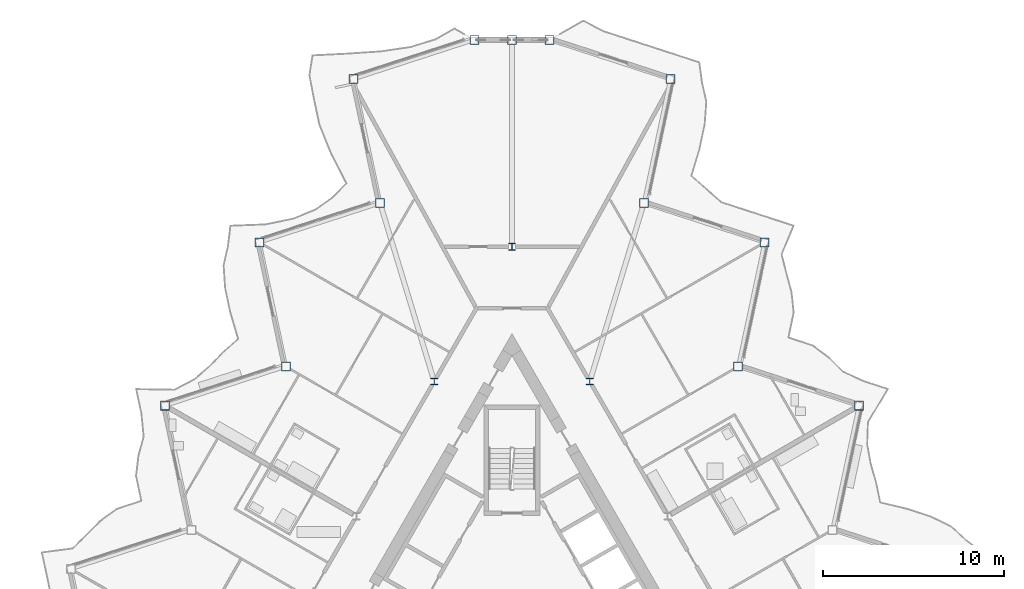
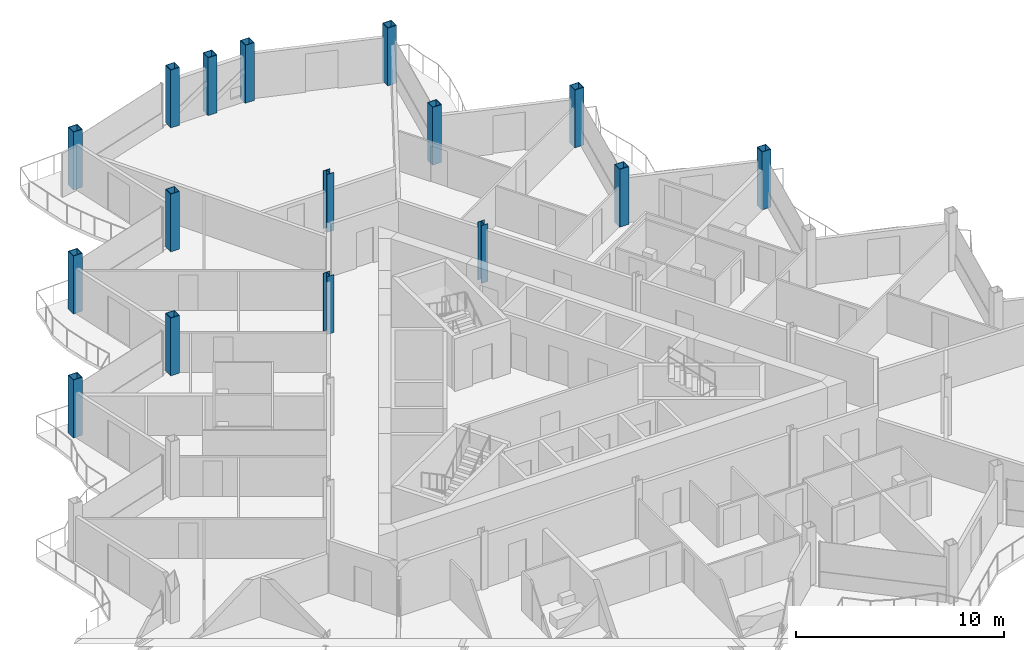
# One storey, part 3 of 25: 16 columns.
"""IFC4 building model written with IfcOpenShell, lengths in metres."""

from ifc_helpers import new_model, si_unit, direction, frame, origin, origin_2d, place, context, subcontext, project, spatial, hollow_rectangle, i_section, extrude, material, material_profile, profile_set, type_object, element, save


model = new_model("IFC4")

# Units and contexts
model_context = context("Model", 3, precision=1e-05, world=origin(), true_north=direction((0.0, 1.0)))
body_context = subcontext(model_context, "Body", "Model", "MODEL_VIEW")
ifc_project = project(units=[si_unit("LENGTHUNIT", "METRE"), si_unit("AREAUNIT", "SQUARE_METRE"), si_unit("VOLUMEUNIT", "CUBIC_METRE"), si_unit("PLANEANGLEUNIT", "RADIAN"), si_unit("MASSUNIT", "GRAM", prefix="KILO")], contexts=[model_context])

# Site, building, storey
site_placement = place(None, origin())
site = spatial("IfcSite", under=ifc_project, at=site_placement, CompositionType="ELEMENT")
building_placement = place(site_placement, origin())
building = spatial("IfcBuilding", under=site, at=building_placement, Name="Cormorant Prow Tower", CompositionType="ELEMENT")
storey_placement = place(building_placement, frame((0.0, 0.0, 391.60009765625)))
storey = spatial("IfcBuildingStorey", under=building, at=storey_placement, Name="L89", CompositionType="ELEMENT", Elevation=391.60009765625)

# Columns
ifc_material_1 = material(Name="Structural steel ASTM A572 Gr 50", Category="steel")
ifc_material_profile_1 = material_profile(ifc_material_1, hollow_rectangle(XDim=0.5, YDim=0.5, WallThickness=0.030029296875, at=origin_2d()), Name="Box 500x500x30")
ifc_profile_set_1 = profile_set([ifc_material_profile_1], Name="Structural steel ASTM A572 Gr 50")
column_type_1 = type_object("IfcColumnType", Name="Perimeter box column 500x500x30", PredefinedType="COLUMN", material=ifc_profile_set_1)
for number, where, z_axis, x_axis, name in (
    (1, (19.128662109375, 11.0439453125, 0.0), (0.0, 0.0, 1.0), (1.0, 0.0, 0.0), "Perimeter column C7 at ENE05 L89"),
    (2, (12.473876953125, 13.206298828125, 0.0), (0.0, 0.0, 1.0), (1.0, 0.0, 0.0), "Perimeter column C7 at ENE06 L89"),
    (3, (13.9287109375, 20.050537109375, 0.0), (0.0, 0.0, 1.0), (1.0, 0.0, 0.0), "Perimeter column C7 at ENE07 L89"),
    (4, (7.273681640625, 22.212890625, 0.0), (0.0, 0.0, 1.0), (1.0, 0.0, 0.0), "Perimeter column C7 at ENE08 L89"),
    (5, (8.728515625, 29.05712890625, 0.0), (0.0, 0.0, 1.0), (1.0, 0.0, 0.0), "Perimeter column C7 at ENE09 L89"),
    (6, (2.07373046875, 31.219482421875, 0.0), (0.0, 0.0, 1.0), (1.0, 0.0, 0.0), "Perimeter column C7 at N00 L89"),
    (7, (0.0, 31.219482421875, 0.0), (0.0, 0.0, 1.0), (1.0, 0.0, 0.0), "Perimeter column C7 at N01 L89"),
    (8, (-2.07373046875, 31.219482421875, 0.0), (0.0, 0.0, 1.0), (1.0, 0.0, 0.0), "Perimeter column C7 at WNW00 L89"),
    (9, (-8.728515625, 29.05712890625, 0.0), (0.0, 0.0, 1.0), (1.0, 0.0, 0.0), "Perimeter column C7 at WNW01 L89"),
    (10, (-7.273681640625, 22.212890625, 0.0), (0.0, 0.0, 1.0), (1.0, 0.0, 0.0), "Perimeter column C7 at WNW02 L89"),
    (11, (-13.9287109375, 20.050537109375, 0.0), (0.0, 0.0, 1.0), (1.0, 0.0, 0.0), "Perimeter column C7 at WNW03 L89"),
    (12, (-12.473876953125, 13.206298828125, 0.0), (0.0, 0.0, 1.0), (1.0, 0.0, 0.0), "Perimeter column C7 at WNW04 L89"),
    (13, (-19.128662109375, 11.0439453125, 0.0), (0.0, 0.0, 1.0), (1.0, 0.0, 0.0), "Perimeter column C7 at WNW05 L89"),
):
    element("IfcColumn", number, at=place(storey_placement, frame(where, z_axis=z_axis, x_axis=x_axis)), inside=storey, type_object=column_type_1, Name=name, PredefinedType="COLUMN", context=body_context, shape_type="SweptSolid", body=[
        extrude(hollow_rectangle(XDim=0.5, YDim=0.5, WallThickness=0.030029296875, at=origin_2d()), origin(), (0.0, 0.0, 1.0), 3.39990234375),
    ])
ifc_material_2 = material(Name="Structural steel ASTM A992 Gr 50", Category="steel")
ifc_material_profile_2 = material_profile(ifc_material_2, i_section(OverallWidth=0.3740234375, OverallDepth=0.372314453125, WebThickness=0.016357421875, FlangeThickness=0.026123046875, at=origin_2d()), Name="W14x132")
ifc_profile_set_2 = profile_set([ifc_material_profile_2], Name="Structural steel ASTM A992 Gr 50")
column_type_2 = type_object("IfcColumnType", Name="Ring column W14x132", PredefinedType="COLUMN", material=ifc_profile_set_2)
for number, where, z_axis, x_axis, name in (
    (14, (0.0, 19.81103515625, 0.0), (0.0, 0.0, 1.0), (1.0, 0.0, 0.0), "Ring column 1 L89"),
    (15, (-4.289306640625, 12.3818359375, 0.0), (0.0, 0.0, 1.0), (1.0, 0.0, 0.0), "Ring column 2 L89"),
    (16, (4.289306640625, 12.3818359375, 0.0), (0.0, 0.0, 1.0), (1.0, 0.0, 0.0), "Ring column 12 L89"),
):
    element("IfcColumn", number, at=place(storey_placement, frame(where, z_axis=z_axis, x_axis=x_axis)), inside=storey, type_object=column_type_2, Name=name, PredefinedType="COLUMN", context=body_context, shape_type="SweptSolid", body=[
        extrude(i_section(OverallWidth=0.3740234375, OverallDepth=0.372314453125, WebThickness=0.016357421875, FlangeThickness=0.026123046875, at=origin_2d()), origin(), (0.0, 0.0, 1.0), 3.39990234375),
    ])

save(model, "model.ifc")
